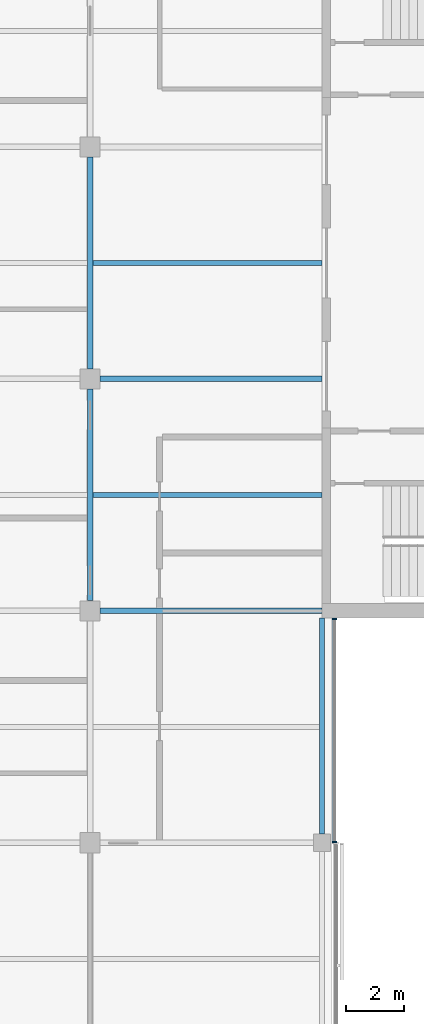
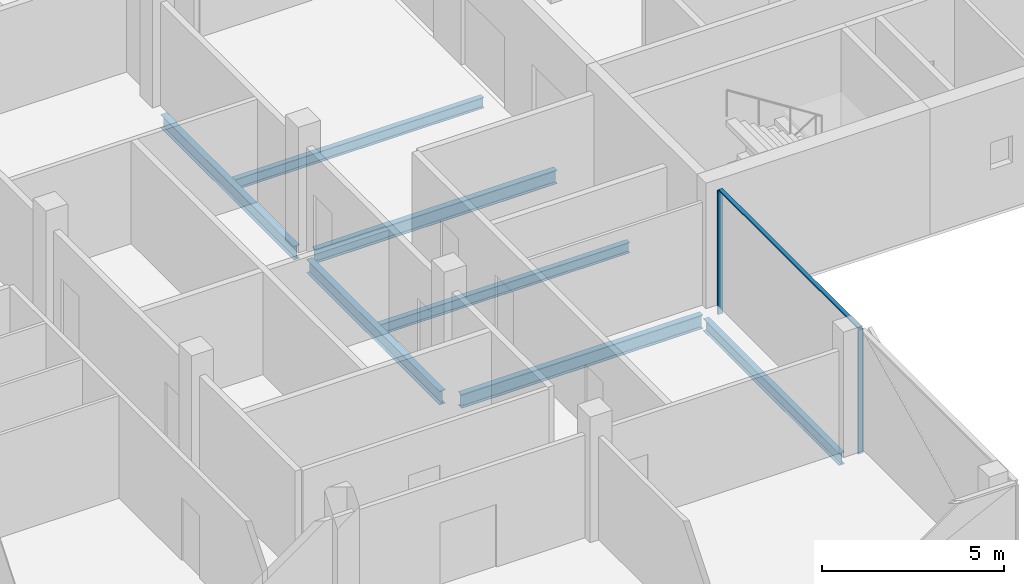
# One storey, part 4 of 16: 7 beams, 3 members, 1 element without a shape of its own.
"""IFC4 building model written with IfcOpenShell, lengths in metres."""

from ifc_helpers import new_model, si_unit, direction, frame, origin, origin_2d, place, context, subcontext, project, spatial, rectangle, i_section, extrude, material, material_profile, profile_set, type_object, element, aggregate, save


model = new_model("IFC4")

# Units and contexts
model_context = context("Model", 3, precision=1e-05, world=origin(), true_north=direction((0.0, 1.0)))
body_context = subcontext(model_context, "Body", "Model", "MODEL_VIEW")
ifc_project = project(units=[si_unit("LENGTHUNIT", "METRE"), si_unit("AREAUNIT", "SQUARE_METRE"), si_unit("VOLUMEUNIT", "CUBIC_METRE"), si_unit("PLANEANGLEUNIT", "RADIAN"), si_unit("MASSUNIT", "GRAM", prefix="KILO")], contexts=[model_context])

# Site, building, storey
site_placement = place(None, origin())
site = spatial("IfcSite", under=ifc_project, at=site_placement, CompositionType="ELEMENT")
building_placement = place(site_placement, origin())
building = spatial("IfcBuilding", under=site, at=building_placement, Name="Crosswind Convention Tower", CompositionType="ELEMENT")
storey_placement = place(building_placement, frame((0.0, 0.0, 282.89990234375)))
storey = spatial("IfcBuildingStorey", under=building, at=storey_placement, Name="L61", CompositionType="ELEMENT", Elevation=282.89990234375)

# Beams
ifc_material_1 = material(Name="Steel S355", Category="steel")
ifc_material_profile_1 = material_profile(ifc_material_1, i_section(OverallWidth=0.177734375, OverallDepth=0.406494140625, WebThickness=0.0078125, FlangeThickness=0.0126953125, FilletRadius=0.01025390625, at=origin_2d()), Name="UB 406x178x60")
ifc_profile_set_1 = profile_set([ifc_material_profile_1], Name="Steel S355")
beam_type_1 = type_object("IfcBeamType", Name="Edge beam UB 406x178x60", PredefinedType="SPANDREL", material=ifc_profile_set_1)
beam_placement = place(storey_placement, frame((137.0, 80.300048828125, -0.503173828125), z_axis=(0.0, 1.0, 0.0), x_axis=(-1.0, 0.0, 0.0)))
element("IfcBeam", 1, at=beam_placement, inside=storey, type_object=beam_type_1, Name="B15 L61 edge beam 12", PredefinedType="SPANDREL", context=body_context, shape_type="SweptSolid", body=[
    extrude(i_section(OverallWidth=0.177734375, OverallDepth=0.406494140625, WebThickness=0.0078125, FlangeThickness=0.0126953125, FilletRadius=0.01025390625, at=origin_2d()), origin(), (0.0, 0.0, 1.0), 7.449951171875),
])
ifc_material_profile_2 = material_profile(ifc_material_1, i_section(OverallWidth=0.18994140625, OverallDepth=0.45361328125, WebThickness=0.008544921875, FlangeThickness=0.0126953125, FilletRadius=0.01025390625, at=origin_2d()), Name="UB 457x191x67")
ifc_profile_set_2 = profile_set([ifc_material_profile_2], Name="Steel S355")
beam_type_2 = type_object("IfcBeamType", Name="Girder UB 457x191x67", PredefinedType="BEAM", material=ifc_profile_set_2)
for number, where, z_axis, x_axis, name in (
    (2, (129.0, 88.35009765625, -0.526611328125), (0.0, 1.0, 0.0), (-1.0, 0.0, 0.0), "B1 L61 girder 18"),
    (3, (129.0, 96.35009765625, -0.526611328125), (0.0, 1.0, 0.0), (-1.0, 0.0, 0.0), "B1 L61 girder 19"),
):
    element("IfcBeam", number, at=place(storey_placement, frame(where, z_axis=z_axis, x_axis=x_axis)), inside=storey, type_object=beam_type_2, Name=name, PredefinedType="BEAM", context=body_context, shape_type="SweptSolid", body=[
        extrude(i_section(OverallWidth=0.18994140625, OverallDepth=0.45361328125, WebThickness=0.008544921875, FlangeThickness=0.0126953125, FilletRadius=0.01025390625, at=origin_2d()), origin(), (0.0, 0.0, 1.0), 7.2998046875),
    ])
ifc_material_profile_3 = material_profile(ifc_material_1, i_section(OverallWidth=0.1904296875, OverallDepth=0.457275390625, WebThickness=0.009033203125, FlangeThickness=0.014404296875, FilletRadius=0.01025390625, at=origin_2d()), Name="UB 457x191x75")
ifc_profile_set_3 = profile_set([ifc_material_profile_3], Name="Steel S355")
beam_type_3 = type_object("IfcBeamType", Name="Girder at core wall UB 457x191x75", PredefinedType="BEAM", material=ifc_profile_set_3)
for number, where, z_axis, x_axis, name in (
    (4, (129.35009765625, 88.0, -0.528564453125), (1.0, 0.0, 0.0), (0.0, 1.0, 0.0), "B22 L61 girder at core wall 5"),
    (5, (129.35009765625, 96.0, -0.528564453125), (1.0, 0.0, 0.0), (0.0, 1.0, 0.0), "B22 L61 girder at core wall 6"),
):
    element("IfcBeam", number, at=place(storey_placement, frame(where, z_axis=z_axis, x_axis=x_axis)), inside=storey, type_object=beam_type_3, Name=name, PredefinedType="BEAM", context=body_context, shape_type="SweptSolid", body=[
        extrude(i_section(OverallWidth=0.1904296875, OverallDepth=0.457275390625, WebThickness=0.009033203125, FlangeThickness=0.014404296875, FilletRadius=0.01025390625, at=origin_2d()), origin(), (0.0, 0.0, 1.0), 7.64990234375),
    ])

# Curtain wall, members
ifc_material_2 = material(Name="Aluminium unitised curtain wall", Category="aluminium")
curtain_wall_type = type_object("IfcCurtainWallType", Name="CORE END SLOT WALL 160", PredefinedType="USERDEFINED", material=ifc_material_2)
curtain_wall_placement = place(storey_placement, origin())
curtain_wall = element("IfcCurtainWall", 6, at=curtain_wall_placement, inside=storey, type_object=curtain_wall_type, Name="CW6 L61 S-E.1-2 slot", ObjectType="UNITISED", PredefinedType="USERDEFINED")
ifc_material_3 = material(Name="Aluminium mullion", Category="aluminium")
ifc_material_profile_4 = material_profile(ifc_material_3, rectangle(XDim=0.159912109375, YDim=0.050048828125, at=origin_2d()), Name="AL 160X50")
ifc_profile_set_4 = profile_set([ifc_material_profile_4], Name="Aluminium mullion")
member_type_1 = type_object("IfcMemberType", Name="MULLION 50X160", PredefinedType="MULLION", material=ifc_profile_set_4)
member_1_placement = place(storey_placement, frame((137.429931640625, 80.02490234375, -0.2998046875), z_axis=(0.0, 0.0, 1.0), x_axis=(1.0, 0.0, 0.0)))
member_1 = element("IfcMember", 7, at=member_1_placement, type_object=member_type_1, Name="CW6 mullion 1", PredefinedType="MULLION", context=body_context, shape_type="SweptSolid", body=[
    extrude(rectangle(XDim=0.159912109375, YDim=0.050048828125, at=origin_2d()), origin(), (0.0, 0.0, 1.0), 4.14990234375),
])
member_2_placement = place(storey_placement, frame((137.429931640625, 87.72509765625, -0.2998046875), z_axis=(0.0, 0.0, 1.0), x_axis=(1.0, 0.0, 0.0)))
member_2 = element("IfcMember", 8, at=member_2_placement, type_object=member_type_1, Name="CW6 mullion 2", PredefinedType="MULLION", context=body_context, shape_type="SweptSolid", body=[
    extrude(rectangle(XDim=0.159912109375, YDim=0.050048828125, at=origin_2d()), origin(), (0.0, 0.0, 1.0), 4.14990234375),
])

# Beams
ifc_material_profile_5 = material_profile(ifc_material_1, i_section(OverallWidth=0.17138671875, OverallDepth=0.355712890625, WebThickness=0.00732421875, FlangeThickness=0.011474609375, FilletRadius=0.01025390625, at=origin_2d()), Name="UB 356x171x51")
ifc_profile_set_5 = profile_set([ifc_material_profile_5], Name="Steel S355")
beam_type_4 = type_object("IfcBeamType", Name="Secondary beam UB 356x171x51", PredefinedType="JOIST", material=ifc_profile_set_5)
for number, where, z_axis, x_axis, name in (
    (9, (129.094970703125, 92.0, -0.477783203125), (1.0, 0.0, 0.0), (0.0, 1.0, 0.0), "B8 L61 secondary beam 17"),
    (10, (129.094970703125, 100.0, -0.477783203125), (1.0, 0.0, 0.0), (0.0, 1.0, 0.0), "B8 L61 secondary beam 18"),
):
    element("IfcBeam", number, at=place(storey_placement, frame(where, z_axis=z_axis, x_axis=x_axis)), inside=storey, type_object=beam_type_4, Name=name, PredefinedType="JOIST", context=body_context, shape_type="SweptSolid", body=[
        extrude(i_section(OverallWidth=0.17138671875, OverallDepth=0.355712890625, WebThickness=0.00732421875, FlangeThickness=0.011474609375, FilletRadius=0.01025390625, at=origin_2d()), origin(), (0.0, 0.0, 1.0), 7.905029296875),
    ])

# Member
ifc_material_4 = material(Name="Aluminium transom", Category="aluminium")
ifc_material_profile_6 = material_profile(ifc_material_4, rectangle(XDim=0.1201171875, YDim=0.050048828125, at=origin_2d()), Name="AL 120X50")
ifc_profile_set_6 = profile_set([ifc_material_profile_6], Name="Aluminium transom")
member_type_2 = type_object("IfcMemberType", Name="TRANSOM 50X120", PredefinedType="USERDEFINED", material=ifc_profile_set_6)
member_3_placement = place(storey_placement, frame((137.429931640625, 80.050048828125, 3.875), z_axis=(0.0, 1.0, 0.0), x_axis=(-1.0, 0.0, 0.0)))
member_3 = element("IfcMember", 11, at=member_3_placement, type_object=member_type_2, Name="CW6 transom", ObjectType="TRANSOM", PredefinedType="USERDEFINED", context=body_context, shape_type="SweptSolid", body=[
    extrude(rectangle(XDim=0.1201171875, YDim=0.050048828125, at=origin_2d()), origin(), (0.0, 0.0, 1.0), 7.64990234375),
])

aggregate(curtain_wall, [member_1, member_2, member_3])

save(model, "model.ifc")
